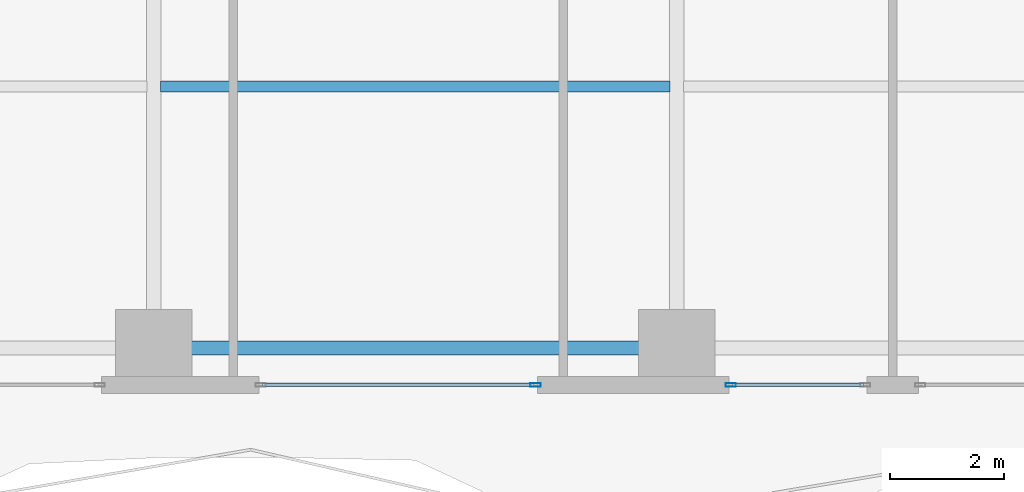
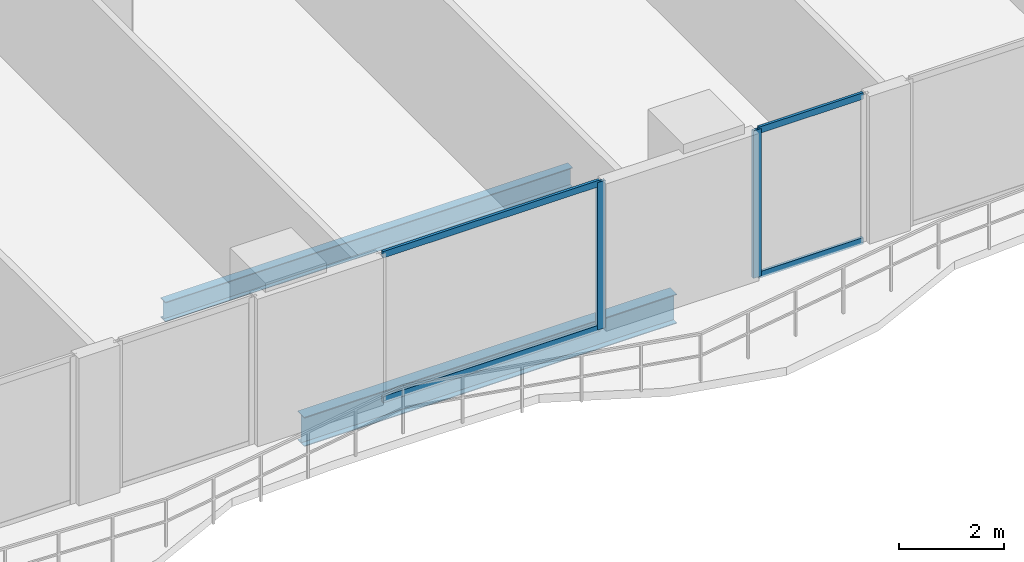
# One storey, part 5 of 29: 6 members, 2 beams, 2 elements without a shape of their own.
"""IFC4 building model written with IfcOpenShell, lengths in metres."""

from ifc_helpers import new_model, si_unit, direction, frame, origin, origin_2d, place, context, subcontext, project, spatial, hollow_rectangle, i_section, extrude, material, layer, layer_set, material_profile, profile_set, type_object, element, aggregate, save


model = new_model("IFC4")

# Units and contexts
model_context = context("Model", 3, precision=1e-05, world=origin(), true_north=direction((0.0, 1.0)))
body_context = subcontext(model_context, "Body", "Model", "MODEL_VIEW")
ifc_project = project(units=[si_unit("LENGTHUNIT", "METRE"), si_unit("AREAUNIT", "SQUARE_METRE"), si_unit("VOLUMEUNIT", "CUBIC_METRE"), si_unit("PLANEANGLEUNIT", "RADIAN"), si_unit("MASSUNIT", "GRAM", prefix="KILO")], contexts=[model_context])

# Site, building, storey
site_placement = place(None, origin())
site = spatial("IfcSite", under=ifc_project, at=site_placement, CompositionType="ELEMENT")
building_placement = place(site_placement, origin())
building = spatial("IfcBuilding", under=site, at=building_placement, Name="Zuhayl Quay Hotel", CompositionType="ELEMENT")
storey_placement = place(building_placement, frame((0.0, 0.0, 150.39990234375)))
storey = spatial("IfcBuildingStorey", under=building, at=storey_placement, Name="L38", CompositionType="ELEMENT", Elevation=150.39990234375)

# Beams
ifc_material_1 = material(Name="Steel ASTM A992 Grade 50", Category="steel")
ifc_material_profile_1 = material_profile(ifc_material_1, i_section(OverallWidth=0.25390625, OverallDepth=0.68310546875, WebThickness=0.012451171875, FlangeThickness=0.018798828125, at=origin_2d()), Name="W27X94")
ifc_profile_set_1 = profile_set([ifc_material_profile_1], Name="Steel ASTM A992 Grade 50")
beam_type_1 = type_object("IfcBeamType", Name="BM_B2_W27X94", PredefinedType="BEAM", material=ifc_profile_set_1)
beam_1_placement = place(storey_placement, frame((-4.10009765625, -14.75, -0.5615234375), z_axis=(1.0, 0.0, 0.0), x_axis=(0.0, 1.0, 0.0)))
element("IfcBeam", 1, at=beam_1_placement, inside=storey, type_object=beam_type_1, Name="L38 Floor Beam RG_L38_02", PredefinedType="BEAM", context=body_context, shape_type="SweptSolid", body=[
    extrude(i_section(OverallWidth=0.25390625, OverallDepth=0.68310546875, WebThickness=0.012451171875, FlangeThickness=0.018798828125, at=origin_2d()), origin(), (0.0, 0.0, 1.0), 8.2001953125),
])
ifc_material_profile_2 = material_profile(ifc_material_1, i_section(OverallWidth=0.18994140625, OverallDepth=0.45703125, WebThickness=0.009033203125, FlangeThickness=0.014404296875, at=origin_2d()), Name="W18X50")
ifc_profile_set_2 = profile_set([ifc_material_profile_2], Name="Steel ASTM A992 Grade 50")
beam_type_2 = type_object("IfcBeamType", Name="BM_J2_W18X50", PredefinedType="JOIST", material=ifc_profile_set_2)
beam_2_placement = place(storey_placement, frame((-4.48095703125, -10.14990234375, -0.448486328125), z_axis=(1.0, 0.0, 0.0), x_axis=(0.0, 1.0, 0.0)))
element("IfcBeam", 2, at=beam_2_placement, inside=storey, type_object=beam_type_2, Name="L38 Floor Beam FJ_L38_5_2", PredefinedType="JOIST", context=body_context, shape_type="SweptSolid", body=[
    extrude(i_section(OverallWidth=0.18994140625, OverallDepth=0.45703125, WebThickness=0.009033203125, FlangeThickness=0.014404296875, at=origin_2d()), origin(), (0.0, 0.0, 1.0), 8.9619140625),
])

# Curtain wall, member
ifc_material_2 = material(Name="Anodised Aluminium 6063-T6", Category="aluminium")
ifc_layer = layer(ifc_material_2, 0.179931640625, Name="Anodised Aluminium 6063-T6", Category="aluminium")
ifc_layer_set = layer_set([ifc_layer], Name="Anodised Aluminium 6063-T6")
curtain_wall_type = type_object("IfcCurtainWallType", Name="CW_SYS_Z2", PredefinedType="USERDEFINED", material=ifc_layer_set)
curtain_wall_1_placement = place(storey_placement, origin())
curtain_wall_1 = element("IfcCurtainWall", 3, at=curtain_wall_1_placement, inside=storey, type_object=curtain_wall_type, Name="L38 Curtain Wall ENV_L38_S_CW3", ObjectType="UNITISED CURTAIN WALL", PredefinedType="USERDEFINED")
ifc_material_3 = material(Name="Black-anodised aluminium 6063-T6", Category="aluminium")
ifc_material_profile_3 = material_profile(ifc_material_3, hollow_rectangle(XDim=0.06494140625, YDim=0.179931640625, WallThickness=0.00341796875, at=origin_2d()), Name="ALU180X65")
ifc_profile_set_3 = profile_set([ifc_material_profile_3], Name="Black-anodised aluminium 6063-T6")
member_type_1 = type_object("IfcMemberType", Name="MB_CW_MUL_180", PredefinedType="MULLION", material=ifc_profile_set_3)
member_1_placement = place(storey_placement, frame((5.552490234375, -15.39990234375, 0.0), z_axis=(0.0, 0.0, 1.0), x_axis=(0.0, -1.0, 0.0)))
member_1 = element("IfcMember", 4, at=member_1_placement, type_object=member_type_1, Name="CW-Z2 mullion 2", PredefinedType="MULLION", context=body_context, shape_type="SweptSolid", body=[
    extrude(hollow_rectangle(XDim=0.06494140625, YDim=0.179931640625, WallThickness=0.00341796875, at=origin_2d()), origin(), (0.0, 0.0, 1.0), 3.43017578125),
])

curtain_wall_2_placement = place(storey_placement, origin())
curtain_wall_2 = element("IfcCurtainWall", 5, at=curtain_wall_2_placement, inside=storey, type_object=curtain_wall_type, Name="L38 Curtain Wall ENV_L38_S_CW4", ObjectType="UNITISED CURTAIN WALL", PredefinedType="USERDEFINED")
member_2_placement = place(storey_placement, frame((2.117431640625, -15.39990234375, 0.0), z_axis=(0.0, 0.0, 1.0), x_axis=(0.0, -1.0, 0.0)))
member_2 = element("IfcMember", 6, at=member_2_placement, type_object=member_type_1, Name="CW-Z2 mullion 1", PredefinedType="MULLION", context=body_context, shape_type="SweptSolid", body=[
    extrude(hollow_rectangle(XDim=0.06494140625, YDim=0.179931640625, WallThickness=0.00341796875, at=origin_2d()), origin(), (0.0, 0.0, 1.0), 3.43017578125),
])

# Member
ifc_material_profile_4 = material_profile(ifc_material_3, hollow_rectangle(XDim=0.06005859375, YDim=0.14990234375, WallThickness=0.00341796875, at=origin_2d()), Name="ALU150X60")
ifc_profile_set_4 = profile_set([ifc_material_profile_4], Name="Black-anodised aluminium 6063-T6")
member_type_2 = type_object("IfcMemberType", Name="MB_CW_TRN_150", PredefinedType="USERDEFINED", material=ifc_profile_set_4)
member_3_placement = place(storey_placement, frame((7.885009765625, -15.39990234375, 0.030029296875), z_axis=(-1.0, 0.0, 0.0), x_axis=(0.0, -1.0, 0.0)))
member_3 = element("IfcMember", 7, at=member_3_placement, type_object=member_type_2, Name="CW-Z2 transom 1.1", ObjectType="TRANSOM", PredefinedType="USERDEFINED", context=body_context, shape_type="SweptSolid", body=[
    extrude(hollow_rectangle(XDim=0.06005859375, YDim=0.14990234375, WallThickness=0.00341796875, at=origin_2d()), origin(), (0.0, 0.0, 1.0), 2.300048828125),
])

member_4_placement = place(storey_placement, frame((7.885009765625, -15.39990234375, 3.400146484375), z_axis=(-1.0, 0.0, 0.0), x_axis=(0.0, -1.0, 0.0)))
member_4 = element("IfcMember", 8, at=member_4_placement, type_object=member_type_2, Name="CW-Z2 transom 1.2", ObjectType="TRANSOM", PredefinedType="USERDEFINED", context=body_context, shape_type="SweptSolid", body=[
    extrude(hollow_rectangle(XDim=0.06005859375, YDim=0.14990234375, WallThickness=0.00341796875, at=origin_2d()), origin(), (0.0, 0.0, 1.0), 2.300048828125),
])

aggregate(curtain_wall_1, [member_1, member_3, member_4])

member_5_placement = place(storey_placement, frame((2.0849609375, -15.39990234375, 0.030029296875), z_axis=(-1.0, 0.0, 0.0), x_axis=(0.0, -1.0, 0.0)))
member_5 = element("IfcMember", 9, at=member_5_placement, type_object=member_type_2, Name="CW-Z2 transom 1.1", ObjectType="TRANSOM", PredefinedType="USERDEFINED", context=body_context, shape_type="SweptSolid", body=[
    extrude(hollow_rectangle(XDim=0.06005859375, YDim=0.14990234375, WallThickness=0.00341796875, at=origin_2d()), origin(), (0.0, 0.0, 1.0), 4.77001953125),
])

member_6_placement = place(storey_placement, frame((2.0849609375, -15.39990234375, 3.400146484375), z_axis=(-1.0, 0.0, 0.0), x_axis=(0.0, -1.0, 0.0)))
member_6 = element("IfcMember", 10, at=member_6_placement, type_object=member_type_2, Name="CW-Z2 transom 1.2", ObjectType="TRANSOM", PredefinedType="USERDEFINED", context=body_context, shape_type="SweptSolid", body=[
    extrude(hollow_rectangle(XDim=0.06005859375, YDim=0.14990234375, WallThickness=0.00341796875, at=origin_2d()), origin(), (0.0, 0.0, 1.0), 4.77001953125),
])

aggregate(curtain_wall_2, [member_2, member_5, member_6])

save(model, "model.ifc")
